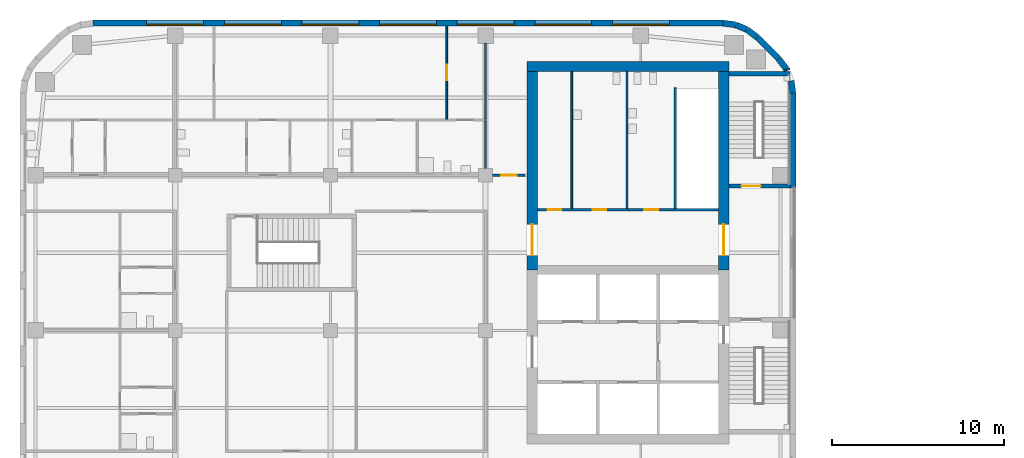
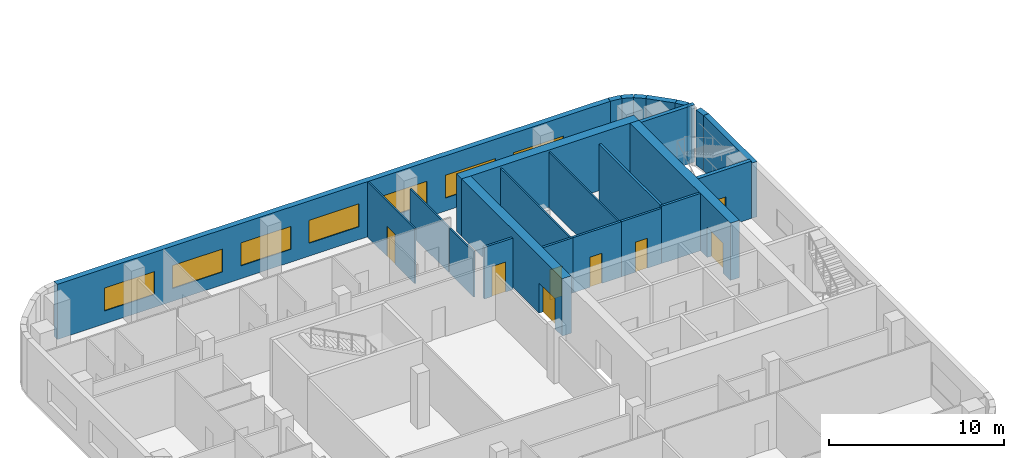
# One storey, part 8 of 16: 25 walls, 8 doors, 7 windows, 15 openings.
"""IFC4 building model written with IfcOpenShell, lengths in metres."""

from ifc_helpers import new_model, si_unit, direction, frame, frame_2d, origin, place, context, subcontext, project, spatial, rectangle, extrude, material, layer, layer_set, type_object, element, fill, save


model = new_model("IFC4")

# Units and contexts
model_context = context("Model", 3, precision=1e-05, world=origin(), true_north=direction((0.0, 1.0)))
body_context = subcontext(model_context, "Body", "Model", "MODEL_VIEW")
ifc_project = project(units=[si_unit("LENGTHUNIT", "METRE"), si_unit("AREAUNIT", "SQUARE_METRE"), si_unit("VOLUMEUNIT", "CUBIC_METRE"), si_unit("PLANEANGLEUNIT", "RADIAN"), si_unit("MASSUNIT", "GRAM", prefix="KILO")], contexts=[model_context])

# Site, building, storey
site_placement = place(None, origin())
site = spatial("IfcSite", under=ifc_project, at=site_placement, CompositionType="ELEMENT")
building_placement = place(site_placement, origin())
building = spatial("IfcBuilding", under=site, at=building_placement, Name="Cinnabar Reach Civic Tower", CompositionType="ELEMENT")
storey_placement = place(building_placement, frame((0.0, 0.0, 34.0)))
storey = spatial("IfcBuildingStorey", under=building, at=storey_placement, Name="L07", CompositionType="ELEMENT", Elevation=34.0)

# Walls
ifc_material_1 = material(Name="Facing brick with insulated backing", Category="masonry")
ifc_layer_1 = layer(ifc_material_1, 0.36)
ifc_layer_set_1 = layer_set([ifc_layer_1], Name="Brick corner wall")
wall_type_1 = type_object("IfcWallType", Name="Brick corner wall", PredefinedType="STANDARD", material=ifc_layer_set_1)
wall_1_placement = place(storey_placement, frame((-27.183, 40.7686, 0.0), z_axis=(0.0, 0.0, 1.0), x_axis=(-0.13055608231, 0.99144092581, 0.0)))
element("IfcWall", 1, at=wall_1_placement, inside=storey, type_object=wall_type_1, Name="Brick corner wall", PredefinedType="STANDARD", context=body_context, shape_type="SweptSolid", body=[
    extrude(rectangle(XDim=0.7131, YDim=0.36, at=frame_2d((0.3565, 0.0))), origin(), (0.0, 0.0, 1.0), 3.85),
])
wall_2_placement = place(storey_placement, frame((-27.5206, 42.0735, 0.0), z_axis=(0.0, 0.0, 1.0), x_axis=(-0.382549378284, 0.923935048136, 0.0)))
element("IfcWall", 2, at=wall_2_placement, inside=storey, type_object=wall_type_1, Name="Brick corner wall", PredefinedType="STANDARD", context=body_context, shape_type="SweptSolid", body=[
    extrude(rectangle(XDim=0.0894, YDim=0.36, at=frame_2d((0.0447, 0.0))), origin(), (0.0, 0.0, 1.0), 3.85),
])
for number, where, z_axis, x_axis, name in (
    (3, (-27.566, 42.1755, 0.0), (0.0, 0.0, 1.0), (-0.608802368033, 0.793321924995, 0.0), "Brick corner wall"),
    (4, (-29.2587, 43.9998, 0.0), (0.0, 0.0, 1.0), (-0.793321924995, 0.608802368033, 0.0), "Brick corner wall"),
):
    element("IfcWall", number, at=place(storey_placement, frame(where, z_axis=z_axis, x_axis=x_axis)), inside=storey, type_object=wall_type_1, Name=name, PredefinedType="STANDARD", context=body_context, shape_type="SweptSolid", body=[
        extrude(rectangle(XDim=0.7132, YDim=0.36, at=frame_2d((0.3566, 0.0))), origin(), (0.0, 0.0, 1.0), 3.85),
    ])
for number, where, z_axis, x_axis, name in (
    (5, (-29.8439, 44.4452, 0.0), (0.0, 0.0, 1.0), (-0.923871547278, 0.382702709855, 0.0), "Brick corner wall"),
    (6, (-30.5244, 44.7239, 0.0), (0.0, 0.0, 1.0), (-0.99144092581, 0.13055608231, 0.0), "Brick corner wall"),
):
    element("IfcWall", number, at=place(storey_placement, frame(where, z_axis=z_axis, x_axis=x_axis)), inside=storey, type_object=wall_type_1, Name=name, PredefinedType="STANDARD", context=body_context, shape_type="SweptSolid", body=[
        extrude(rectangle(XDim=0.7131, YDim=0.36, at=frame_2d((0.3565, 0.0))), origin(), (0.0, 0.0, 1.0), 3.85),
    ])
ifc_layer_2 = layer(ifc_material_1, 0.36)
ifc_layer_set_2 = layer_set([ifc_layer_2], Name="Brick pier and spandrel wall")
wall_type_2 = type_object("IfcWallType", Name="Brick pier and spandrel wall", PredefinedType="STANDARD", material=ifc_layer_set_2)
wall_3_placement = place(storey_placement, frame((-27.18, 35.25, 0.0), z_axis=(0.0, 0.0, 1.0), x_axis=(0.0, 1.0, 0.0)))
element("IfcWall", 7, at=wall_3_placement, inside=storey, type_object=wall_type_2, Name="Brick facade wall", PredefinedType="STANDARD", context=body_context, shape_type="SweptSolid", body=[
    extrude(rectangle(XDim=5.5074, YDim=0.36, at=frame_2d((2.7537, 0.0))), origin(), (0.0, 0.0, 1.0), 3.85),
])
wall_4_placement = place(storey_placement, frame((-28.006, 42.7514, 0.0), z_axis=(0.0, 0.0, 1.0), x_axis=(-0.707106781187, 0.707106781187, 0.0)))
element("IfcWall", 8, at=wall_4_placement, inside=storey, type_object=wall_type_2, Name="Brick facade wall", PredefinedType="STANDARD", context=body_context, shape_type="SweptSolid", body=[
    extrude(rectangle(XDim=1.7573, YDim=0.36, at=frame_2d((0.8787, 0.0))), origin(), (0.0, 0.0, 1.0), 3.85),
])

# Wall, openings, windows
wall_5_placement = place(storey_placement, frame((-31.2426, 44.82, 0.0), z_axis=(0.0, 0.0, 1.0), x_axis=(-1.0, 0.0, 0.0)))
wall_5 = element("IfcWall", 9, at=wall_5_placement, inside=storey, type_object=wall_type_2, Name="Brick facade wall", PredefinedType="STANDARD", context=body_context, shape_type="SweptSolid", body=[
    extrude(rectangle(XDim=36.5148, YDim=0.36, at=frame_2d((18.2574, 0.0))), origin(), (0.0, 0.0, 1.0), 3.85),
])
opening_1_placement = place(wall_5_placement, frame((3.1074, 0.0, 0.9)))
opening_1 = element("IfcOpeningElement", 10, at=opening_1_placement, cuts=wall_5, Name="Opening W2403", PredefinedType="OPENING", context=body_context, shape_type="SweptSolid", body=[
    extrude(rectangle(XDim=3.3, YDim=1.6, at=frame_2d((1.65, 0.8))), frame((0.0, 0.19, 0.0), z_axis=(0.0, -1.0, 0.0), x_axis=(1.0, 0.0, 0.0)), (0.0, 0.0, 1.0), 0.38),
])
opening_2_placement = place(wall_5_placement, frame((7.6074, 0.0, 0.9)))
opening_2 = element("IfcOpeningElement", 11, at=opening_2_placement, cuts=wall_5, Name="Opening W2404", PredefinedType="OPENING", context=body_context, shape_type="SweptSolid", body=[
    extrude(rectangle(XDim=3.3, YDim=1.6, at=frame_2d((1.65, 0.8))), frame((0.0, 0.19, 0.0), z_axis=(0.0, -1.0, 0.0), x_axis=(1.0, 0.0, 0.0)), (0.0, 0.0, 1.0), 0.38),
])
opening_3_placement = place(wall_5_placement, frame((12.1074, 0.0, 0.9)))
opening_3 = element("IfcOpeningElement", 12, at=opening_3_placement, cuts=wall_5, Name="Opening W2405", PredefinedType="OPENING", context=body_context, shape_type="SweptSolid", body=[
    extrude(rectangle(XDim=3.3, YDim=1.6, at=frame_2d((1.65, 0.8))), frame((0.0, 0.19, 0.0), z_axis=(0.0, -1.0, 0.0), x_axis=(1.0, 0.0, 0.0)), (0.0, 0.0, 1.0), 0.38),
])
opening_4_placement = place(wall_5_placement, frame((16.6074, 0.0, 0.9)))
opening_4 = element("IfcOpeningElement", 13, at=opening_4_placement, cuts=wall_5, Name="Opening W2406", PredefinedType="OPENING", context=body_context, shape_type="SweptSolid", body=[
    extrude(rectangle(XDim=3.3, YDim=1.6, at=frame_2d((1.65, 0.8))), frame((0.0, 0.19, 0.0), z_axis=(0.0, -1.0, 0.0), x_axis=(1.0, 0.0, 0.0)), (0.0, 0.0, 1.0), 0.38),
])
opening_5_placement = place(wall_5_placement, frame((21.1074, 0.0, 0.9)))
opening_5 = element("IfcOpeningElement", 14, at=opening_5_placement, cuts=wall_5, Name="Opening W2407", PredefinedType="OPENING", context=body_context, shape_type="SweptSolid", body=[
    extrude(rectangle(XDim=3.3, YDim=1.6, at=frame_2d((1.65, 0.8))), frame((0.0, 0.19, 0.0), z_axis=(0.0, -1.0, 0.0), x_axis=(1.0, 0.0, 0.0)), (0.0, 0.0, 1.0), 0.38),
])
opening_6_placement = place(wall_5_placement, frame((25.6074, 0.0, 0.9)))
opening_6 = element("IfcOpeningElement", 15, at=opening_6_placement, cuts=wall_5, Name="Opening W2408", PredefinedType="OPENING", context=body_context, shape_type="SweptSolid", body=[
    extrude(rectangle(XDim=3.3, YDim=1.6, at=frame_2d((1.65, 0.8))), frame((0.0, 0.19, 0.0), z_axis=(0.0, -1.0, 0.0), x_axis=(1.0, 0.0, 0.0)), (0.0, 0.0, 1.0), 0.38),
])
opening_7_placement = place(wall_5_placement, frame((30.1074, 0.0, 0.9)))
opening_7 = element("IfcOpeningElement", 16, at=opening_7_placement, cuts=wall_5, Name="Opening W2409", PredefinedType="OPENING", context=body_context, shape_type="SweptSolid", body=[
    extrude(rectangle(XDim=3.3, YDim=1.6, at=frame_2d((1.65, 0.8))), frame((0.0, 0.19, 0.0), z_axis=(0.0, -1.0, 0.0), x_axis=(1.0, 0.0, 0.0)), (0.0, 0.0, 1.0), 0.38),
])
ifc_material_2 = material(Name="Clear double glazing in aluminium frame", Category="aluminium")
window_type = type_object("IfcWindowType", Name="Deep-set window A", PartitioningType="SINGLE_PANEL", PredefinedType="WINDOW", material=ifc_material_2)
window_1_placement = place(opening_1_placement, origin())
window_1 = element("IfcWindow", 17, at=window_1_placement, inside=storey, type_object=window_type, Name="Window north face", OverallHeight=1.6, OverallWidth=3.3, PartitioningType="SINGLE_PANEL", PredefinedType="WINDOW", context=body_context, shape_type="SweptSolid", body=[
    extrude(rectangle(XDim=3.3, YDim=1.6, at=frame_2d((1.65, 0.8))), frame((0.0, 0.13, 0.0), z_axis=(0.0, -1.0, 0.0), x_axis=(1.0, 0.0, 0.0)), (0.0, 0.0, 1.0), 0.06),
])
fill(opening_1, window_1)
window_2_placement = place(opening_2_placement, origin())
window_2 = element("IfcWindow", 18, at=window_2_placement, inside=storey, type_object=window_type, Name="Window north face", OverallHeight=1.6, OverallWidth=3.3, PartitioningType="SINGLE_PANEL", PredefinedType="WINDOW", context=body_context, shape_type="SweptSolid", body=[
    extrude(rectangle(XDim=3.3, YDim=1.6, at=frame_2d((1.65, 0.8))), frame((0.0, 0.13, 0.0), z_axis=(0.0, -1.0, 0.0), x_axis=(1.0, 0.0, 0.0)), (0.0, 0.0, 1.0), 0.06),
])
fill(opening_2, window_2)
window_3_placement = place(opening_3_placement, origin())
window_3 = element("IfcWindow", 19, at=window_3_placement, inside=storey, type_object=window_type, Name="Window north face", OverallHeight=1.6, OverallWidth=3.3, PartitioningType="SINGLE_PANEL", PredefinedType="WINDOW", context=body_context, shape_type="SweptSolid", body=[
    extrude(rectangle(XDim=3.3, YDim=1.6, at=frame_2d((1.65, 0.8))), frame((0.0, 0.13, 0.0), z_axis=(0.0, -1.0, 0.0), x_axis=(1.0, 0.0, 0.0)), (0.0, 0.0, 1.0), 0.06),
])
fill(opening_3, window_3)
window_4_placement = place(opening_4_placement, origin())
window_4 = element("IfcWindow", 20, at=window_4_placement, inside=storey, type_object=window_type, Name="Window north face", OverallHeight=1.6, OverallWidth=3.3, PartitioningType="SINGLE_PANEL", PredefinedType="WINDOW", context=body_context, shape_type="SweptSolid", body=[
    extrude(rectangle(XDim=3.3, YDim=1.6, at=frame_2d((1.65, 0.8))), frame((0.0, 0.13, 0.0), z_axis=(0.0, -1.0, 0.0), x_axis=(1.0, 0.0, 0.0)), (0.0, 0.0, 1.0), 0.06),
])
fill(opening_4, window_4)
window_5_placement = place(opening_5_placement, origin())
window_5 = element("IfcWindow", 21, at=window_5_placement, inside=storey, type_object=window_type, Name="Window north face", OverallHeight=1.6, OverallWidth=3.3, PartitioningType="SINGLE_PANEL", PredefinedType="WINDOW", context=body_context, shape_type="SweptSolid", body=[
    extrude(rectangle(XDim=3.3, YDim=1.6, at=frame_2d((1.65, 0.8))), frame((0.0, 0.13, 0.0), z_axis=(0.0, -1.0, 0.0), x_axis=(1.0, 0.0, 0.0)), (0.0, 0.0, 1.0), 0.06),
])
fill(opening_5, window_5)
window_6_placement = place(opening_6_placement, origin())
window_6 = element("IfcWindow", 22, at=window_6_placement, inside=storey, type_object=window_type, Name="Window north face", OverallHeight=1.6, OverallWidth=3.3, PartitioningType="SINGLE_PANEL", PredefinedType="WINDOW", context=body_context, shape_type="SweptSolid", body=[
    extrude(rectangle(XDim=3.3, YDim=1.6, at=frame_2d((1.65, 0.8))), frame((0.0, 0.13, 0.0), z_axis=(0.0, -1.0, 0.0), x_axis=(1.0, 0.0, 0.0)), (0.0, 0.0, 1.0), 0.06),
])
fill(opening_6, window_6)
window_7_placement = place(opening_7_placement, origin())
window_7 = element("IfcWindow", 23, at=window_7_placement, inside=storey, type_object=window_type, Name="Window north face", OverallHeight=1.6, OverallWidth=3.3, PartitioningType="SINGLE_PANEL", PredefinedType="WINDOW", context=body_context, shape_type="SweptSolid", body=[
    extrude(rectangle(XDim=3.3, YDim=1.6, at=frame_2d((1.65, 0.8))), frame((0.0, 0.13, 0.0), z_axis=(0.0, -1.0, 0.0), x_axis=(1.0, 0.0, 0.0)), (0.0, 0.0, 1.0), 0.06),
])
fill(opening_7, window_7)

# Wall
ifc_material_3 = material(Name="Concrete C70", Category="concrete")
ifc_layer_3 = layer(ifc_material_3, 0.6)
ifc_layer_set_3 = layer_set([ifc_layer_3], Name="Core wall 600 EI 180")
wall_type_3 = type_object("IfcWallType", Name="Core wall 600 EI 180", PredefinedType="SOLIDWALL", material=ifc_layer_set_3)
wall_6_placement = place(storey_placement, frame((-30.9, 42.3, 0.0), z_axis=(0.0, 0.0, 1.0), x_axis=(-1.0, 0.0, 0.0)))
element("IfcWall", 24, at=wall_6_placement, inside=storey, type_object=wall_type_3, Name="Core wall T2 L07 N", PredefinedType="SOLIDWALL", context=body_context, shape_type="SweptSolid", body=[
    extrude(rectangle(XDim=11.7, YDim=0.6, at=frame_2d((5.85, 0.0))), origin(), (0.0, 0.0, 1.0), 4.0),
])

# Wall, opening, door
wall_7_placement = place(storey_placement, frame((-31.2, 30.5, 0.0), z_axis=(0.0, 0.0, 1.0), x_axis=(0.0, 1.0, 0.0)))
wall_7 = element("IfcWall", 25, at=wall_7_placement, inside=storey, type_object=wall_type_3, Name="Core wall T2 L07 E2", PredefinedType="SOLIDWALL", context=body_context, shape_type="SweptSolid", body=[
    extrude(rectangle(XDim=11.5, YDim=0.6, at=frame_2d((5.75, 0.0))), origin(), (0.0, 0.0, 1.0), 4.0),
])
opening_8_placement = place(wall_7_placement, frame((0.85, 0.0, 0.0)))
opening_8 = element("IfcOpeningElement", 26, at=opening_8_placement, cuts=wall_7, Name="Opening D6213", PredefinedType="OPENING", context=body_context, shape_type="SweptSolid", body=[
    extrude(rectangle(XDim=1.8, YDim=2.1, at=frame_2d((0.9, 1.05))), frame((0.0, 0.31, 0.0), z_axis=(0.0, -1.0, 0.0), x_axis=(1.0, 0.0, 0.0)), (0.0, 0.0, 1.0), 0.62),
])
ifc_material_4 = material(Name="Steel fire door", Category="steel")
door_type_1 = type_object("IfcDoorType", Name="T2 Double door 1800", OperationType="DOUBLE_DOOR_SINGLE_SWING", PredefinedType="DOOR", material=ifc_material_4)
door_1_placement = place(opening_8_placement, origin())
door_1 = element("IfcDoor", 27, at=door_1_placement, inside=storey, type_object=door_type_1, Name="T2 Double door D6213", OperationType="DOUBLE_DOOR_SINGLE_SWING", OverallHeight=2.1, OverallWidth=1.8, PredefinedType="DOOR", context=body_context, shape_type="SweptSolid", body=[
    extrude(rectangle(XDim=1.8, YDim=2.1, at=frame_2d((0.9, 1.05))), frame((0.0, 0.025, 0.0), z_axis=(0.0, -1.0, 0.0), x_axis=(1.0, 0.0, 0.0)), (0.0, 0.0, 1.0), 0.05),
])
fill(opening_8, door_1)

wall_8_placement = place(storey_placement, frame((-42.3, 42.0, 0.0), z_axis=(0.0, 0.0, 1.0), x_axis=(0.0, -1.0, 0.0)))
wall_8 = element("IfcWall", 28, at=wall_8_placement, inside=storey, type_object=wall_type_3, Name="Core wall T2 L07 W", PredefinedType="SOLIDWALL", context=body_context, shape_type="SweptSolid", body=[
    extrude(rectangle(XDim=11.5, YDim=0.6, at=frame_2d((5.75, 0.0))), origin(), (0.0, 0.0, 1.0), 4.0),
])
opening_9_placement = place(wall_8_placement, frame((8.85, 0.0, 0.0)))
opening_9 = element("IfcOpeningElement", 29, at=opening_9_placement, cuts=wall_8, Name="Opening D6215", PredefinedType="OPENING", context=body_context, shape_type="SweptSolid", body=[
    extrude(rectangle(XDim=1.8, YDim=2.1, at=frame_2d((0.9, 1.05))), frame((0.0, 0.31, 0.0), z_axis=(0.0, -1.0, 0.0), x_axis=(1.0, 0.0, 0.0)), (0.0, 0.0, 1.0), 0.62),
])
door_2_placement = place(opening_9_placement, frame((1.8, 0.0, 0.0), z_axis=(0.0, 0.0, 1.0), x_axis=(-1.0, 0.0, 0.0)))
door_2 = element("IfcDoor", 30, at=door_2_placement, inside=storey, type_object=door_type_1, Name="T2 Double door D6215", OperationType="DOUBLE_DOOR_SINGLE_SWING", OverallHeight=2.1, OverallWidth=1.8, PredefinedType="DOOR", context=body_context, shape_type="SweptSolid", body=[
    extrude(rectangle(XDim=1.8, YDim=2.1, at=frame_2d((0.9, 1.05))), frame((0.0, 0.025, 0.0), z_axis=(0.0, -1.0, 0.0), x_axis=(1.0, 0.0, 0.0)), (0.0, 0.0, 1.0), 0.05),
])
fill(opening_9, door_2)

ifc_material_5 = material(Name="Gypsum board on steel studs, double layer", Category="steel")
ifc_layer_4 = layer(ifc_material_5, 0.15)
ifc_layer_set_4 = layer_set([ifc_layer_4], Name="Corridor wall 150 T2")
wall_type_4 = type_object("IfcWallType", Name="Corridor wall 150 T2", PredefinedType="PARTITIONING", material=ifc_layer_set_4)
wall_9_placement = place(storey_placement, frame((-44.6, 36.0, 0.0), z_axis=(0.0, 0.0, 1.0), x_axis=(1.0, 0.0, 0.0)))
wall_9 = element("IfcWall", 31, at=wall_9_placement, inside=storey, type_object=wall_type_4, Name="Corridor wall 6", PredefinedType="PARTITIONING", context=body_context, shape_type="SweptSolid", body=[
    extrude(rectangle(XDim=1.875, YDim=0.15, at=frame_2d((0.9375, 0.0))), origin(), (0.0, 0.0, 1.0), 3.602),
])
opening_10_placement = place(wall_9_placement, frame((0.5, 0.0, 0.0)))
opening_10 = element("IfcOpeningElement", 32, at=opening_10_placement, cuts=wall_9, Name="Opening D6219", PredefinedType="OPENING", context=body_context, shape_type="SweptSolid", body=[
    extrude(rectangle(XDim=0.9, YDim=2.1, at=frame_2d((0.45, 1.05))), frame((0.0, 0.085, 0.0), z_axis=(0.0, -1.0, 0.0), x_axis=(1.0, 0.0, 0.0)), (0.0, 0.0, 1.0), 0.17),
])
ifc_material_6 = material(Name="Timber door leaf in steel frame", Category="steel")
door_type_2 = type_object("IfcDoorType", Name="Single swing door 900 x 2100 T2", OperationType="SINGLE_SWING_LEFT", PredefinedType="DOOR", material=ifc_material_6)
door_3_placement = place(opening_10_placement, origin())
door_3 = element("IfcDoor", 33, at=door_3_placement, inside=storey, type_object=door_type_2, Name="Door D6219", OperationType="SINGLE_SWING_LEFT", OverallHeight=2.1, OverallWidth=0.9, PredefinedType="DOOR", context=body_context, shape_type="SweptSolid", body=[
    extrude(rectangle(XDim=0.9, YDim=2.1, at=frame_2d((0.45, 1.05))), frame((0.0, 0.025, 0.0), z_axis=(0.0, -1.0, 0.0), x_axis=(1.0, 0.0, 0.0)), (0.0, 0.0, 1.0), 0.05),
])
fill(opening_10, door_3)

# Walls
ifc_material_7 = material(Name="Gypsum board on steel studs", Category="steel")
ifc_layer_5 = layer(ifc_material_7, 0.1)
ifc_layer_set_5 = layer_set([ifc_layer_5], Name="Partition wall 100 T2")
wall_type_5 = type_object("IfcWallType", Name="Partition wall 100 T2", PredefinedType="PARTITIONING", material=ifc_layer_set_5)
wall_10_placement = place(storey_placement, frame((-45.0, 39.25, 0.0), z_axis=(0.0, 0.0, 1.0), x_axis=(0.0, 1.0, 0.0)))
element("IfcWall", 34, at=wall_10_placement, inside=storey, type_object=wall_type_5, Name="Partition wall 40", PredefinedType="PARTITIONING", context=body_context, shape_type="SweptSolid", body=[
    extrude(rectangle(XDim=4.4, YDim=0.1, at=frame_2d((2.2, 0.0))), origin(), (0.0, 0.0, 1.0), 3.158),
])
wall_11_placement = place(storey_placement, frame((-45.0, 36.4, 0.0), z_axis=(0.0, 0.0, 1.0), x_axis=(0.0, 1.0, 0.0)))
element("IfcWall", 35, at=wall_11_placement, inside=storey, type_object=wall_type_5, Name="Partition wall 41", PredefinedType="PARTITIONING", context=body_context, shape_type="SweptSolid", body=[
    extrude(rectangle(XDim=2.75, YDim=0.1, at=frame_2d((1.375, 0.0))), origin(), (0.0, 0.0, 1.0), 3.158),
])

# Wall, opening, door
wall_12_placement = place(storey_placement, frame((-47.25, 39.25, 0.0), z_axis=(0.0, 0.0, 1.0), x_axis=(0.0, 1.0, 0.0)))
wall_12 = element("IfcWall", 36, at=wall_12_placement, inside=storey, type_object=wall_type_5, Name="Partition wall 43", PredefinedType="PARTITIONING", context=body_context, shape_type="SweptSolid", body=[
    extrude(rectangle(XDim=5.39, YDim=0.1, at=frame_2d((2.695, 0.0))), origin(), (0.0, 0.0, 1.0), 3.85),
])
opening_11_placement = place(wall_12_placement, frame((2.25, 0.0, 0.0)))
opening_11 = element("IfcOpeningElement", 37, at=opening_11_placement, cuts=wall_12, Name="Opening D6244", PredefinedType="OPENING", context=body_context, shape_type="SweptSolid", body=[
    extrude(rectangle(XDim=0.9, YDim=2.1, at=frame_2d((0.45, 1.05))), frame((0.0, 0.06, 0.0), z_axis=(0.0, -1.0, 0.0), x_axis=(1.0, 0.0, 0.0)), (0.0, 0.0, 1.0), 0.12),
])
door_4_placement = place(opening_11_placement, frame((0.9, 0.0, 0.0), z_axis=(0.0, 0.0, 1.0), x_axis=(-1.0, 0.0, 0.0)))
door_4 = element("IfcDoor", 38, at=door_4_placement, inside=storey, type_object=door_type_2, Name="Door D6244", OperationType="SINGLE_SWING_RIGHT", OverallHeight=2.1, OverallWidth=0.9, PredefinedType="DOOR", context=body_context, shape_type="SweptSolid", body=[
    extrude(rectangle(XDim=0.9, YDim=2.1, at=frame_2d((0.45, 1.05))), frame((0.0, 0.025, 0.0), z_axis=(0.0, -1.0, 0.0), x_axis=(1.0, 0.0, 0.0)), (0.0, 0.0, 1.0), 0.05),
])
fill(opening_11, door_4)

ifc_material_8 = material(Name="Concrete C60", Category="concrete")
ifc_layer_6 = layer(ifc_material_8, 0.25)
ifc_layer_set_6 = layer_set([ifc_layer_6], Name="Stair shaft wall 250 EI 120")
wall_type_6 = type_object("IfcWallType", Name="Stair shaft wall 250 EI 120", PredefinedType="SOLIDWALL", material=ifc_layer_set_6)
wall_13_placement = place(storey_placement, frame((-30.9, 35.375, 0.0), z_axis=(0.0, 0.0, 1.0), x_axis=(1.0, 0.0, 0.0)))
wall_13 = element("IfcWall", 39, at=wall_13_placement, inside=storey, type_object=wall_type_6, Name="Stair shaft wall T2-S2 L07", PredefinedType="SOLIDWALL", context=body_context, shape_type="SweptSolid", body=[
    extrude(rectangle(XDim=3.54, YDim=0.25, at=frame_2d((1.77, 0.0))), origin(), (0.0, 0.0, 1.0), 4.0),
])
opening_12_placement = place(wall_13_placement, frame((0.75, 0.0, 0.0)))
opening_12 = element("IfcOpeningElement", 40, at=opening_12_placement, cuts=wall_13, Name="Opening D6212", PredefinedType="OPENING", context=body_context, shape_type="SweptSolid", body=[
    extrude(rectangle(XDim=1.1, YDim=2.1, at=frame_2d((0.55, 1.05))), frame((0.0, 0.135, 0.0), z_axis=(0.0, -1.0, 0.0), x_axis=(1.0, 0.0, 0.0)), (0.0, 0.0, 1.0), 0.27),
])
door_type_3 = type_object("IfcDoorType", Name="T2 Stair door 1100", OperationType="SINGLE_SWING_LEFT", PredefinedType="DOOR", material=ifc_material_4)
door_5_placement = place(opening_12_placement, origin())
door_5 = element("IfcDoor", 41, at=door_5_placement, inside=storey, type_object=door_type_3, Name="T2 Stair door D6212", OperationType="SINGLE_SWING_LEFT", OverallHeight=2.1, OverallWidth=1.1, PredefinedType="DOOR", context=body_context, shape_type="SweptSolid", body=[
    extrude(rectangle(XDim=1.1, YDim=2.1, at=frame_2d((0.55, 1.05))), frame((0.0, 0.025, 0.0), z_axis=(0.0, -1.0, 0.0), x_axis=(1.0, 0.0, 0.0)), (0.0, 0.0, 1.0), 0.05),
])
fill(opening_12, door_5)

# Wall
wall_14_placement = place(storey_placement, frame((-27.36, 41.875, 0.0), z_axis=(0.0, 0.0, 1.0), x_axis=(-1.0, 0.0, 0.0)))
element("IfcWall", 42, at=wall_14_placement, inside=storey, type_object=wall_type_6, Name="Stair shaft wall T2-S2 L07", PredefinedType="SOLIDWALL", context=body_context, shape_type="SweptSolid", body=[
    extrude(rectangle(XDim=3.54, YDim=0.25, at=frame_2d((1.77, 0.0))), origin(), (0.0, 0.0, 1.0), 4.0),
])

# Wall, opening, door
ifc_material_9 = material(Name="Masonry block partition", Category="masonry")
ifc_layer_7 = layer(ifc_material_9, 0.15)
ifc_layer_set_7 = layer_set([ifc_layer_7], Name="T2 Corridor wall 150")
wall_type_7 = type_object("IfcWallType", Name="T2 Corridor wall 150", PredefinedType="PARTITIONING", material=ifc_layer_set_7)
wall_15_placement = place(storey_placement, frame((-39.925, 34.0, 0.0), z_axis=(0.0, 0.0, 1.0), x_axis=(-1.0, 0.0, 0.0)))
wall_15 = element("IfcWall", 43, at=wall_15_placement, inside=storey, type_object=wall_type_7, Name="T2 Corridor wall L07 014", PredefinedType="PARTITIONING", context=body_context, shape_type="SweptSolid", body=[
    extrude(rectangle(XDim=2.075, YDim=0.15, at=frame_2d((1.0375, 0.0))), origin(), (0.0, 0.0, 1.0), 3.85),
])
opening_13_placement = place(wall_15_placement, frame((0.675, 0.0, 0.0)))
opening_13 = element("IfcOpeningElement", 44, at=opening_13_placement, cuts=wall_15, Name="Opening D6216", PredefinedType="OPENING", context=body_context, shape_type="SweptSolid", body=[
    extrude(rectangle(XDim=0.8, YDim=2.1, at=frame_2d((0.4, 1.05))), frame((0.0, 0.085, 0.0), z_axis=(0.0, -1.0, 0.0), x_axis=(1.0, 0.0, 0.0)), (0.0, 0.0, 1.0), 0.17),
])
ifc_material_10 = material(Name="Timber door leaf", Category="wood")
door_type_4 = type_object("IfcDoorType", Name="T2 Bathroom door 800", OperationType="SINGLE_SWING_LEFT", PredefinedType="DOOR", material=ifc_material_10)
door_6_placement = place(opening_13_placement, frame((0.8, 0.0, 0.0), z_axis=(0.0, 0.0, 1.0), x_axis=(-1.0, 0.0, 0.0)))
door_6 = element("IfcDoor", 45, at=door_6_placement, inside=storey, type_object=door_type_4, Name="T2 Bathroom door D6216", OperationType="SINGLE_SWING_RIGHT", OverallHeight=2.1, OverallWidth=0.8, PredefinedType="DOOR", context=body_context, shape_type="SweptSolid", body=[
    extrude(rectangle(XDim=0.8, YDim=2.1, at=frame_2d((0.4, 1.05))), frame((0.0, 0.025, 0.0), z_axis=(0.0, -1.0, 0.0), x_axis=(1.0, 0.0, 0.0)), (0.0, 0.0, 1.0), 0.05),
])
fill(opening_13, door_6)

wall_16_placement = place(storey_placement, frame((-36.725, 34.0, 0.0), z_axis=(0.0, 0.0, 1.0), x_axis=(-1.0, 0.0, 0.0)))
wall_16 = element("IfcWall", 46, at=wall_16_placement, inside=storey, type_object=wall_type_7, Name="T2 Corridor wall L07 015", PredefinedType="PARTITIONING", context=body_context, shape_type="SweptSolid", body=[
    extrude(rectangle(XDim=3.2, YDim=0.15, at=frame_2d((1.6, 0.0))), origin(), (0.0, 0.0, 1.0), 3.85),
])
opening_14_placement = place(wall_16_placement, frame((1.275, 0.0, 0.0)))
opening_14 = element("IfcOpeningElement", 47, at=opening_14_placement, cuts=wall_16, Name="Opening D6217", PredefinedType="OPENING", context=body_context, shape_type="SweptSolid", body=[
    extrude(rectangle(XDim=0.8, YDim=2.1, at=frame_2d((0.4, 1.05))), frame((0.0, 0.085, 0.0), z_axis=(0.0, -1.0, 0.0), x_axis=(1.0, 0.0, 0.0)), (0.0, 0.0, 1.0), 0.17),
])
door_7_placement = place(opening_14_placement, frame((0.8, 0.0, 0.0), z_axis=(0.0, 0.0, 1.0), x_axis=(-1.0, 0.0, 0.0)))
door_7 = element("IfcDoor", 48, at=door_7_placement, inside=storey, type_object=door_type_4, Name="T2 Bathroom door D6217", OperationType="SINGLE_SWING_LEFT", OverallHeight=2.1, OverallWidth=0.8, PredefinedType="DOOR", context=body_context, shape_type="SweptSolid", body=[
    extrude(rectangle(XDim=0.8, YDim=2.1, at=frame_2d((0.4, 1.05))), frame((0.0, 0.025, 0.0), z_axis=(0.0, -1.0, 0.0), x_axis=(1.0, 0.0, 0.0)), (0.0, 0.0, 1.0), 0.05),
])
fill(opening_14, door_7)

wall_17_placement = place(storey_placement, frame((-34.075, 34.0, 0.0), z_axis=(0.0, 0.0, 1.0), x_axis=(-1.0, 0.0, 0.0)))
wall_17 = element("IfcWall", 49, at=wall_17_placement, inside=storey, type_object=wall_type_7, Name="T2 Corridor wall L07 016", PredefinedType="PARTITIONING", context=body_context, shape_type="SweptSolid", body=[
    extrude(rectangle(XDim=2.65, YDim=0.15, at=frame_2d((1.325, 0.0))), origin(), (0.0, 0.0, 1.0), 3.85),
])
opening_15_placement = place(wall_17_placement, frame((0.925, 0.0, 0.0)))
opening_15 = element("IfcOpeningElement", 50, at=opening_15_placement, cuts=wall_17, Name="Opening D6218", PredefinedType="OPENING", context=body_context, shape_type="SweptSolid", body=[
    extrude(rectangle(XDim=0.8, YDim=2.1, at=frame_2d((0.4, 1.05))), frame((0.0, 0.085, 0.0), z_axis=(0.0, -1.0, 0.0), x_axis=(1.0, 0.0, 0.0)), (0.0, 0.0, 1.0), 0.17),
])
door_8_placement = place(opening_15_placement, frame((0.8, 0.0, 0.0), z_axis=(0.0, 0.0, 1.0), x_axis=(-1.0, 0.0, 0.0)))
door_8 = element("IfcDoor", 51, at=door_8_placement, inside=storey, type_object=door_type_4, Name="T2 Bathroom door D6218", OperationType="SINGLE_SWING_RIGHT", OverallHeight=2.1, OverallWidth=0.8, PredefinedType="DOOR", context=body_context, shape_type="SweptSolid", body=[
    extrude(rectangle(XDim=0.8, YDim=2.1, at=frame_2d((0.4, 1.05))), frame((0.0, 0.025, 0.0), z_axis=(0.0, -1.0, 0.0), x_axis=(1.0, 0.0, 0.0)), (0.0, 0.0, 1.0), 0.05),
])
fill(opening_15, door_8)

# Walls
ifc_material_11 = material(Name="Gypsum board partition")
ifc_layer_8 = layer(ifc_material_11, 0.1)
ifc_layer_set_8 = layer_set([ifc_layer_8], Name="T2 Internal partition 100")
wall_type_8 = type_object("IfcWallType", Name="T2 Internal partition 100", PredefinedType="PARTITIONING", material=ifc_layer_set_8)
for number, where, z_axis, x_axis, name in (
    (52, (-40.0, 34.075, 0.0), (0.0, 0.0, 1.0), (0.0, 1.0, 0.0), "T2 Internal partition L07 017"),
    (53, (-36.8, 34.075, 0.0), (0.0, 0.0, 1.0), (0.0, 1.0, 0.0), "T2 Internal partition L07 018"),
):
    element("IfcWall", number, at=place(storey_placement, frame(where, z_axis=z_axis, x_axis=x_axis)), inside=storey, type_object=wall_type_8, Name=name, PredefinedType="PARTITIONING", context=body_context, shape_type="SweptSolid", body=[
        extrude(rectangle(XDim=7.925, YDim=0.1, at=frame_2d((3.9625, 0.0))), origin(), (0.0, 0.0, 1.0), 3.85),
    ])
ifc_material_12 = material(Name="Concrete C40", Category="concrete")
ifc_layer_9 = layer(ifc_material_12, 0.15)
ifc_layer_set_9 = layer_set([ifc_layer_9], Name="T2 Riser wall 150")
wall_type_9 = type_object("IfcWallType", Name="T2 Riser wall 150", PredefinedType="SOLIDWALL", material=ifc_layer_set_9)
wall_18_placement = place(storey_placement, frame((-34.075, 34.0, 0.0), z_axis=(0.0, 0.0, 1.0), x_axis=(1.0, 0.0, 0.0)))
element("IfcWall", 54, at=wall_18_placement, inside=storey, type_object=wall_type_9, Name="T2 Riser wall L07 012", PredefinedType="SOLIDWALL", context=body_context, shape_type="SweptSolid", body=[
    extrude(rectangle(XDim=2.575, YDim=0.15, at=frame_2d((1.2875, 0.0))), origin(), (0.0, 0.0, 1.0), 4.0),
])
wall_19_placement = place(storey_placement, frame((-34.0, 41.075, 0.0), z_axis=(0.0, 0.0, 1.0), x_axis=(0.0, -1.0, 0.0)))
element("IfcWall", 55, at=wall_19_placement, inside=storey, type_object=wall_type_9, Name="T2 Riser wall L07 013", PredefinedType="SOLIDWALL", context=body_context, shape_type="SweptSolid", body=[
    extrude(rectangle(XDim=7.0, YDim=0.15, at=frame_2d((3.5, 0.0))), origin(), (0.0, 0.0, 1.0), 4.0),
])

save(model, "model.ifc")
